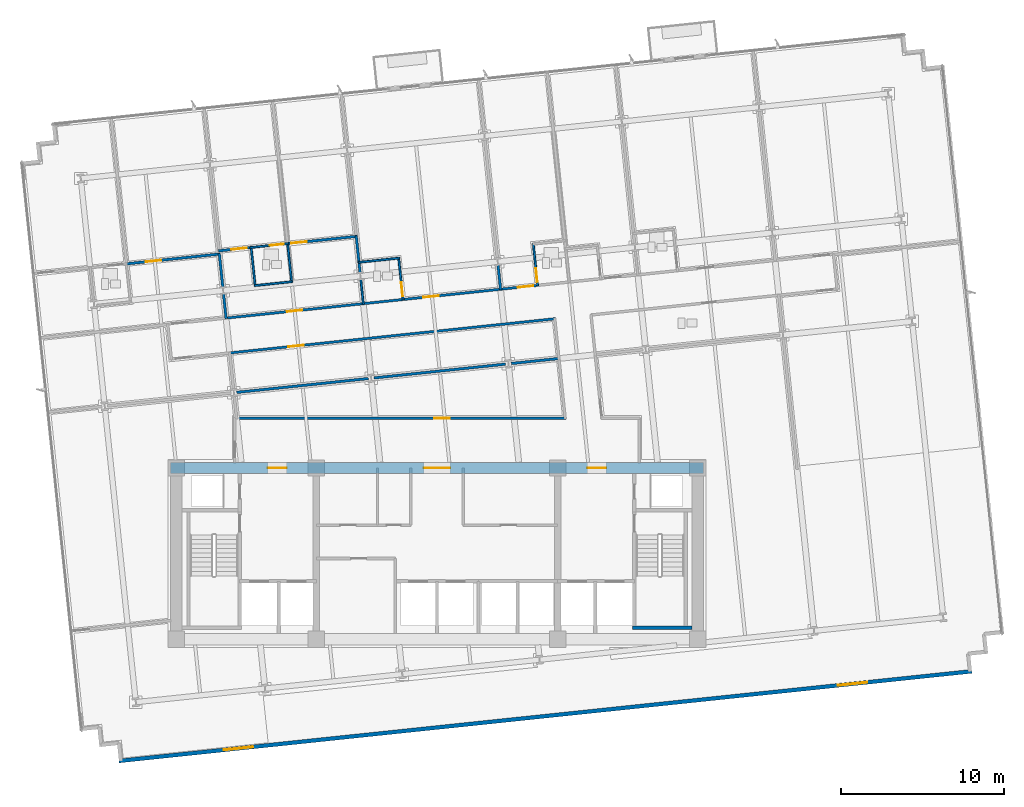
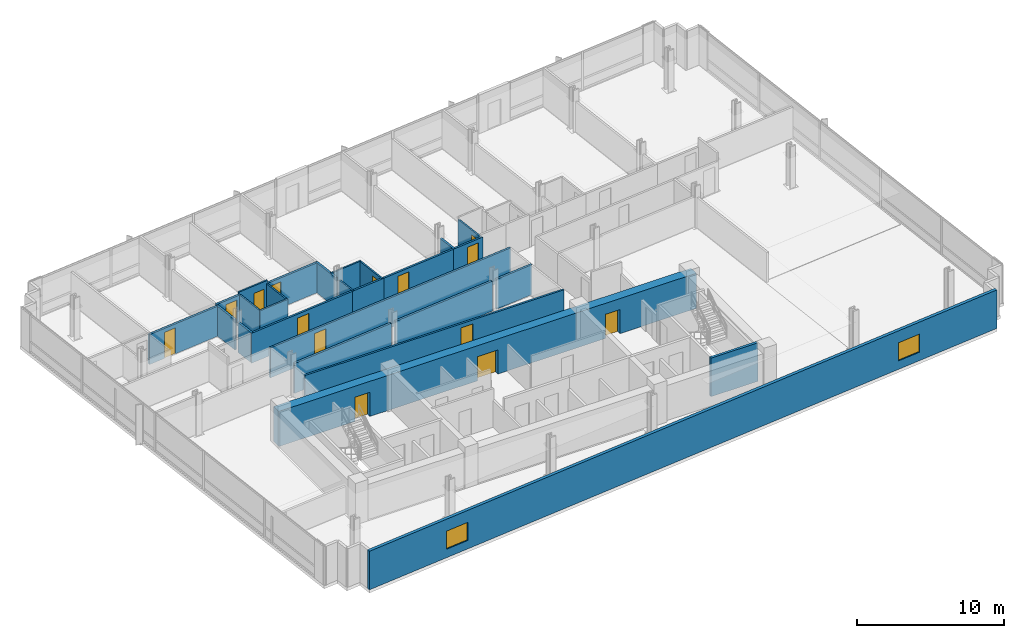
# One storey, part 11 of 17: 27 walls, 14 doors, 2 windows, 16 openings.
"""IFC4 building model written with IfcOpenShell, lengths in metres."""

from ifc_helpers import new_model, si_unit, direction, frame, frame_2d, origin, place, context, subcontext, project, spatial, rectangle, extrude, material, layer, layer_set, type_object, element, fill, save


model = new_model("IFC4")

# Units and contexts
model_context = context("Model", 3, precision=1e-05, world=origin(), true_north=direction((0.0, 1.0)))
body_context = subcontext(model_context, "Body", "Model", "MODEL_VIEW")
ifc_project = project(units=[si_unit("LENGTHUNIT", "METRE"), si_unit("AREAUNIT", "SQUARE_METRE"), si_unit("VOLUMEUNIT", "CUBIC_METRE"), si_unit("PLANEANGLEUNIT", "RADIAN"), si_unit("MASSUNIT", "GRAM", prefix="KILO")], contexts=[model_context])

# Site, building, storey
site_placement = place(None, origin())
site = spatial("IfcSite", under=ifc_project, at=site_placement, CompositionType="ELEMENT")
building_placement = place(site_placement, origin())
building = spatial("IfcBuilding", under=site, at=building_placement, Name="Solmavex Isthmus Hotel", CompositionType="ELEMENT")
storey_placement = place(building_placement, frame((0.0, 0.0, 116.699951171875)))
storey = spatial("IfcBuildingStorey", under=building, at=storey_placement, Name="L31", CompositionType="ELEMENT", Elevation=116.699951171875)

# Wall, openings, windows
ifc_material_1 = material(Name="Precast Concrete C40/50", Category="concrete")
ifc_layer_1 = layer(ifc_material_1, 0.25)
ifc_layer_set_1 = layer_set([ifc_layer_1], Name="Precast Concrete C40/50")
wall_type_1 = type_object("IfcWallType", Name="EW-TWR-250", PredefinedType="STANDARD", material=ifc_layer_set_1)
wall_1_placement = place(storey_placement, frame((-19.504150390625, -20.4716796875, 0.0), z_axis=(0.0, 0.0, 1.0), x_axis=(0.994521743132, 0.104529911687, 0.0)))
wall_1 = element("IfcWall", 1, at=wall_1_placement, inside=storey, type_object=wall_type_1, Name="Tower Rear South Facade Wall L31", PredefinedType="STANDARD", context=body_context, shape_type="SweptSolid", body=[
    extrude(rectangle(XDim=52.60009765625, YDim=0.239990234375, at=frame_2d((26.300048828125, 0.0))), origin(), (0.0, 0.0, 1.0), 3.18994140625),
])
opening_1_placement = place(wall_1_placement, frame((6.464111328125, 0.0, 0.699951171875)))
opening_1 = element("IfcOpeningElement", 2, at=opening_1_placement, cuts=wall_1, Name="Opening WN-02", PredefinedType="OPENING", context=body_context, shape_type="SweptSolid", body=[
    extrude(rectangle(XDim=1.800048828125, YDim=1.5, at=frame_2d((0.89990234375, 0.75))), frame((0.0, 0.1298828125, 0.0), z_axis=(0.0, -1.0, 0.0), x_axis=(1.0, 0.0, 0.0)), (0.0, 0.0, 1.0), 0.260009765625),
])
opening_2_placement = place(wall_1_placement, frame((44.3359375, 0.0, 0.699951171875)))
opening_2 = element("IfcOpeningElement", 3, at=opening_2_placement, cuts=wall_1, Name="Opening WN-02", PredefinedType="OPENING", context=body_context, shape_type="SweptSolid", body=[
    extrude(rectangle(XDim=1.800048828125, YDim=1.5, at=frame_2d((0.89990234375, 0.75))), frame((0.0, 0.1298828125, 0.0), z_axis=(0.0, -1.0, 0.0), x_axis=(1.0, 0.0, 0.0)), (0.0, 0.0, 1.0), 0.260009765625),
])
ifc_material_2 = material(Name="Clear low-E laminated glass", Category="glass")
window_type = type_object("IfcWindowType", Name="WIN-TWR-1800", PartitioningType="SINGLE_PANEL", PredefinedType="WINDOW", material=ifc_material_2)
window_1_placement = place(opening_1_placement, origin())
window_1 = element("IfcWindow", 4, at=window_1_placement, inside=storey, type_object=window_type, Name="South Facade Vision Window L31-S1", OverallHeight=1.5, OverallWidth=1.800048828125, PartitioningType="SINGLE_PANEL", PredefinedType="WINDOW", context=body_context, shape_type="SweptSolid", body=[
    extrude(rectangle(XDim=1.800048828125, YDim=1.5, at=frame_2d((0.89990234375, 0.75))), frame((0.0, 0.030029296875, 0.0), z_axis=(0.0, -1.0, 0.0), x_axis=(1.0, 0.0, 0.0)), (0.0, 0.0, 1.0), 0.06005859375),
])
fill(opening_1, window_1)
window_2_placement = place(opening_2_placement, origin())
window_2 = element("IfcWindow", 5, at=window_2_placement, inside=storey, type_object=window_type, Name="South Facade Vision Window L31-S2", OverallHeight=1.5, OverallWidth=1.800048828125, PartitioningType="SINGLE_PANEL", PredefinedType="WINDOW", context=body_context, shape_type="SweptSolid", body=[
    extrude(rectangle(XDim=1.800048828125, YDim=1.5, at=frame_2d((0.89990234375, 0.75))), frame((0.0, 0.030029296875, 0.0), z_axis=(0.0, -1.0, 0.0), x_axis=(1.0, 0.0, 0.0)), (0.0, 0.0, 1.0), 0.06005859375),
])
fill(opening_2, window_2)

# Wall, opening, door
ifc_material_3 = material(Name="Gypsum plasterboard lining", Category="gypsum")
ifc_layer_2 = layer(ifc_material_3, 0.159912109375)
ifc_layer_set_2 = layer_set([ifc_layer_2], Name="Gypsum plasterboard lining")
wall_type_2 = type_object("IfcWallType", Name="IW-COMP-160", PredefinedType="PARTITIONING", material=ifc_layer_set_2)
wall_2_placement = place(storey_placement, frame((-19.0947265625, 10.016357421875, 0.0), z_axis=(0.0, 0.0, 1.0), x_axis=(0.994523155578, 0.104516472481, 0.0)))
wall_2 = element("IfcWall", 6, at=wall_2_placement, inside=storey, type_object=wall_type_2, Name="Interior Partition Wall W-L31-P027", PredefinedType="PARTITIONING", context=body_context, shape_type="SweptSolid", body=[
    extrude(rectangle(XDim=5.81396484375, YDim=0.159912109375, at=frame_2d((2.906982421875, 0.0))), origin(), (0.0, 0.0, 1.0), 2.4794921875),
])
opening_3_placement = place(wall_2_placement, frame((1.227783203125, 0.0, 0.0)))
opening_3 = element("IfcOpeningElement", 7, at=opening_3_placement, cuts=wall_2, Name="Opening ID-C095", PredefinedType="OPENING", context=body_context, shape_type="SweptSolid", body=[
    extrude(rectangle(XDim=0.949951171875, YDim=2.14990234375, at=frame_2d((0.47509765625, 1.074951171875))), frame((0.0, 0.08984375, 0.0), z_axis=(0.0, -1.0, 0.0), x_axis=(1.0, 0.0, 0.0)), (0.0, 0.0, 1.0), 0.179931640625),
])
ifc_material_4 = material(Name="Hardwood timber", Category="wood")
door_type_1 = type_object("IfcDoorType", Name="IDR-FD60-0950", OperationType="NOTDEFINED", PredefinedType="DOOR", material=ifc_material_4)
door_1_placement = place(opening_3_placement, origin())
door_1 = element("IfcDoor", 8, at=door_1_placement, inside=storey, type_object=door_type_1, Name="Ambassador Panorama Suite Panorama Sitting Study Door L31-03", OperationType="SINGLE_SWING_LEFT", OverallHeight=2.14990234375, OverallWidth=0.949951171875, PredefinedType="DOOR", context=body_context, shape_type="SweptSolid", body=[
    extrude(rectangle(XDim=0.949951171875, YDim=2.14990234375, at=frame_2d((0.47509765625, 1.074951171875))), frame((0.0, 0.02490234375, 0.0), z_axis=(0.0, -1.0, 0.0), x_axis=(1.0, 0.0, 0.0)), (0.0, 0.0, 1.0), 0.050048828125),
])
fill(opening_3, door_1)

# Walls
wall_3_placement = place(storey_placement, frame((-13.3564453125, 10.65966796875, 0.0), z_axis=(0.0, 0.0, 1.0), x_axis=(0.104522458077, -0.994522526521, 0.0)))
element("IfcWall", 9, at=wall_3_placement, inside=storey, type_object=wall_type_2, Name="Interior Partition Wall W-L31-P031", PredefinedType="PARTITIONING", context=body_context, shape_type="SweptSolid", body=[
    extrude(rectangle(XDim=2.11376953125, YDim=0.159912109375, at=frame_2d((1.056884765625, 0.0))), origin(), (0.0, 0.0, 1.0), 2.4794921875),
])
wall_4_placement = place(storey_placement, frame((-13.0986328125, 8.206787109375, 0.0), z_axis=(0.0, 0.0, 1.0), x_axis=(0.104578999325, -0.994516582516, 0.0)))
element("IfcWall", 10, at=wall_4_placement, inside=storey, type_object=wall_type_2, Name="Interior Partition Wall W-L31-P032", PredefinedType="PARTITIONING", context=body_context, shape_type="SweptSolid", body=[
    extrude(rectangle(XDim=1.561767578125, YDim=0.159912109375, at=frame_2d((0.78076171875, 0.0))), origin(), (0.0, 0.0, 1.0), 2.4794921875),
])

# Wall, opening, door
wall_5_placement = place(storey_placement, frame((-13.412841796875, 10.814453125, 0.0), z_axis=(0.0, 0.0, 1.0), x_axis=(0.994511936055, 0.104623176422, 0.0)))
wall_5 = element("IfcWall", 11, at=wall_5_placement, inside=storey, type_object=wall_type_2, Name="Interior Partition Wall W-L31-P038", PredefinedType="PARTITIONING", context=body_context, shape_type="SweptSolid", body=[
    extrude(rectangle(XDim=2.062744140625, YDim=0.159912109375, at=frame_2d((1.03125, 0.0))), origin(), (0.0, 0.0, 1.0), 2.4794921875),
])
opening_4_placement = place(wall_5_placement, frame((0.806396484375, 0.0, 0.0)))
opening_4 = element("IfcOpeningElement", 12, at=opening_4_placement, cuts=wall_5, Name="Opening ID-C095", PredefinedType="OPENING", context=body_context, shape_type="SweptSolid", body=[
    extrude(rectangle(XDim=0.949951171875, YDim=2.14990234375, at=frame_2d((0.47509765625, 1.074951171875))), frame((0.0, 0.08984375, 0.0), z_axis=(0.0, -1.0, 0.0), x_axis=(1.0, 0.0, 0.0)), (0.0, 0.0, 1.0), 0.179931640625),
])
door_2_placement = place(opening_4_placement, origin())
door_2 = element("IfcDoor", 13, at=door_2_placement, inside=storey, type_object=door_type_1, Name="Diplomatic Hospitality Suite Bedroom Door L31-06", OperationType="SINGLE_SWING_RIGHT", OverallHeight=2.14990234375, OverallWidth=0.949951171875, PredefinedType="DOOR", context=body_context, shape_type="SweptSolid", body=[
    extrude(rectangle(XDim=0.949951171875, YDim=2.14990234375, at=frame_2d((0.47509765625, 1.074951171875))), frame((0.0, 0.02490234375, 0.0), z_axis=(0.0, -1.0, 0.0), x_axis=(1.0, 0.0, 0.0)), (0.0, 0.0, 1.0), 0.050048828125),
])
fill(opening_4, door_2)

wall_6_placement = place(storey_placement, frame((-9.203125, 11.257080078125, 0.0), z_axis=(0.0, 0.0, 1.0), x_axis=(0.994525286201, 0.104496196615, 0.0)))
wall_6 = element("IfcWall", 14, at=wall_6_placement, inside=storey, type_object=wall_type_2, Name="Interior Partition Wall W-L31-P039", PredefinedType="PARTITIONING", context=body_context, shape_type="SweptSolid", body=[
    extrude(rectangle(XDim=4.31298828125, YDim=0.159912109375, at=frame_2d((2.156494140625, 0.0))), origin(), (0.0, 0.0, 1.0), 2.4794921875),
])
opening_5_placement = place(wall_6_placement, frame((0.25927734375, 0.0, 0.0)))
opening_5 = element("IfcOpeningElement", 15, at=opening_5_placement, cuts=wall_6, Name="Opening ID-C095", PredefinedType="OPENING", context=body_context, shape_type="SweptSolid", body=[
    extrude(rectangle(XDim=0.949951171875, YDim=2.14990234375, at=frame_2d((0.47509765625, 1.074951171875))), frame((0.0, 0.08984375, 0.0), z_axis=(0.0, -1.0, 0.0), x_axis=(1.0, 0.0, 0.0)), (0.0, 0.0, 1.0), 0.179931640625),
])
door_3_placement = place(opening_5_placement, origin())
door_3 = element("IfcDoor", 16, at=door_3_placement, inside=storey, type_object=door_type_1, Name="Diplomatic Hospitality Suite Sitting Lounge Door L31-07", OperationType="SINGLE_SWING_LEFT", OverallHeight=2.14990234375, OverallWidth=0.949951171875, PredefinedType="DOOR", context=body_context, shape_type="SweptSolid", body=[
    extrude(rectangle(XDim=0.949951171875, YDim=2.14990234375, at=frame_2d((0.47509765625, 1.074951171875))), frame((0.0, 0.02490234375, 0.0), z_axis=(0.0, -1.0, 0.0), x_axis=(1.0, 0.0, 0.0)), (0.0, 0.0, 1.0), 0.050048828125),
])
fill(opening_5, door_3)

# Walls
wall_7_placement = place(storey_placement, frame((-4.957763671875, 11.743408203125, 0.0), z_axis=(0.0, 0.0, 1.0), x_axis=(0.104569435529, -0.994517588157, 0.0)))
element("IfcWall", 17, at=wall_7_placement, inside=storey, type_object=wall_type_2, Name="Interior Partition Wall W-L31-P043", PredefinedType="PARTITIONING", context=body_context, shape_type="SweptSolid", body=[
    extrude(rectangle(XDim=2.313720703125, YDim=0.159912109375, at=frame_2d((1.15673828125, 0.0))), origin(), (0.0, 0.0, 1.0), 2.4794921875),
])
wall_8_placement = place(storey_placement, frame((3.740478515625, 9.976806640625, 0.0), z_axis=(0.0, 0.0, 1.0), x_axis=(0.104578999325, -0.994516582516, 0.0)))
element("IfcWall", 18, at=wall_8_placement, inside=storey, type_object=wall_type_2, Name="Interior Partition Wall W-L31-P053", PredefinedType="PARTITIONING", context=body_context, shape_type="SweptSolid", body=[
    extrude(rectangle(XDim=1.561767578125, YDim=0.159912109375, at=frame_2d((0.78076171875, 0.0))), origin(), (0.0, 0.0, 1.0), 2.4794921875),
])
wall_9_placement = place(storey_placement, frame((-4.21435546875, 2.985107421875, 0.0), z_axis=(0.0, 0.0, 1.0), x_axis=(-0.994521269983, -0.104534413238, 0.0)))
element("IfcWall", 19, at=wall_9_placement, inside=storey, type_object=wall_type_2, Name="Interior Partition Wall W-L31-P075", PredefinedType="PARTITIONING", context=body_context, shape_type="SweptSolid", body=[
    extrude(rectangle(XDim=8.113525390625, YDim=0.159912109375, at=frame_2d((4.056640625, 0.0))), origin(), (0.0, 0.0, 1.0), 2.4794921875),
])
wall_10_placement = place(storey_placement, frame((4.205322265625, 3.8701171875, 0.0), z_axis=(0.0, 0.0, 1.0), x_axis=(-0.994521598781, -0.104531285071, 0.0)))
element("IfcWall", 20, at=wall_10_placement, inside=storey, type_object=wall_type_2, Name="Interior Partition Wall W-L31-P076", PredefinedType="PARTITIONING", context=body_context, shape_type="SweptSolid", body=[
    extrude(rectangle(XDim=8.11376953125, YDim=0.159912109375, at=frame_2d((4.056884765625, 0.0))), origin(), (0.0, 0.0, 1.0), 2.4794921875),
])
wall_11_placement = place(storey_placement, frame((7.51611328125, 4.218017578125, 0.0), z_axis=(0.0, 0.0, 1.0), x_axis=(-0.994526106058, -0.104488393462, 0.0)))
element("IfcWall", 21, at=wall_11_placement, inside=storey, type_object=wall_type_2, Name="Interior Partition Wall W-L31-P077", PredefinedType="PARTITIONING", context=body_context, shape_type="SweptSolid", body=[
    extrude(rectangle(XDim=2.976806640625, YDim=0.159912109375, at=frame_2d((1.48828125, 0.0))), origin(), (0.0, 0.0, 1.0), 2.4794921875),
])

# Wall, opening, door
ifc_layer_3 = layer(ifc_material_3, 0.14990234375)
ifc_layer_set_3 = layer_set([ifc_layer_3], Name="Gypsum plasterboard lining")
wall_type_3 = type_object("IfcWallType", Name="IW-CORR-150", PredefinedType="PARTITIONING", material=ifc_layer_set_3)
wall_12_placement = place(storey_placement, frame((-13.021240234375, 6.684814453125, 0.0), z_axis=(0.0, 0.0, 1.0), x_axis=(0.994521717123, 0.104530159146, 0.0)))
wall_12 = element("IfcWall", 22, at=wall_12_placement, inside=storey, type_object=wall_type_3, Name="Interior Partition Wall W-L31-P002", PredefinedType="PARTITIONING", context=body_context, shape_type="SweptSolid", body=[
    extrude(rectangle(XDim=8.630126953125, YDim=0.14990234375, at=frame_2d((4.31494140625, 0.0))), origin(), (0.0, 0.0, 1.0), 2.4794921875),
])
opening_6_placement = place(wall_12_placement, frame((3.840087890625, 0.0, 0.0)))
opening_6 = element("IfcOpeningElement", 23, at=opening_6_placement, cuts=wall_12, Name="Opening ID-C095", PredefinedType="OPENING", context=body_context, shape_type="SweptSolid", body=[
    extrude(rectangle(XDim=0.949951171875, YDim=2.14990234375, at=frame_2d((0.47509765625, 1.074951171875))), frame((0.0, 0.0849609375, 0.0), z_axis=(0.0, -1.0, 0.0), x_axis=(1.0, 0.0, 0.0)), (0.0, 0.0, 1.0), 0.169921875),
])
door_4_placement = place(opening_6_placement, frame((0.949951171875, 0.0, 0.0), z_axis=(0.0, 0.0, 1.0), x_axis=(-1.0, 0.0, 0.0)))
door_4 = element("IfcDoor", 24, at=door_4_placement, inside=storey, type_object=door_type_1, Name="Diplomatic Hospitality Suite Reception Foyer Door L31-05", OperationType="SINGLE_SWING_LEFT", OverallHeight=2.14990234375, OverallWidth=0.949951171875, PredefinedType="DOOR", context=body_context, shape_type="SweptSolid", body=[
    extrude(rectangle(XDim=0.949951171875, YDim=2.14990234375, at=frame_2d((0.47509765625, 1.074951171875))), frame((0.0, 0.02490234375, 0.0), z_axis=(0.0, -1.0, 0.0), x_axis=(1.0, 0.0, 0.0)), (0.0, 0.0, 1.0), 0.050048828125),
])
fill(opening_6, door_4)

wall_13_placement = place(storey_placement, frame((-2.1650390625, 7.825927734375, 0.0), z_axis=(0.0, 0.0, 1.0), x_axis=(0.994521891766, 0.104528497542, 0.0)))
wall_13 = element("IfcWall", 25, at=wall_13_placement, inside=storey, type_object=wall_type_3, Name="Interior Partition Wall W-L31-P003", PredefinedType="PARTITIONING", context=body_context, shape_type="SweptSolid", body=[
    extrude(rectangle(XDim=6.18017578125, YDim=0.14990234375, at=frame_2d((3.090087890625, 0.0))), origin(), (0.0, 0.0, 1.0), 2.4794921875),
])
opening_7_placement = place(wall_13_placement, frame((1.333984375, 0.0, 0.0)))
opening_7 = element("IfcOpeningElement", 26, at=opening_7_placement, cuts=wall_13, Name="Opening ID-C095", PredefinedType="OPENING", context=body_context, shape_type="SweptSolid", body=[
    extrude(rectangle(XDim=0.949951171875, YDim=2.14990234375, at=frame_2d((0.47509765625, 1.074951171875))), frame((0.0, 0.0849609375, 0.0), z_axis=(0.0, -1.0, 0.0), x_axis=(1.0, 0.0, 0.0)), (0.0, 0.0, 1.0), 0.169921875),
])
door_5_placement = place(opening_7_placement, frame((0.949951171875, 0.0, 0.0), z_axis=(0.0, 0.0, 1.0), x_axis=(-1.0, 0.0, 0.0)))
door_5 = element("IfcDoor", 27, at=door_5_placement, inside=storey, type_object=door_type_1, Name="Ambassador Suite Door L31-09", OperationType="SINGLE_SWING_LEFT", OverallHeight=2.14990234375, OverallWidth=0.949951171875, PredefinedType="DOOR", context=body_context, shape_type="SweptSolid", body=[
    extrude(rectangle(XDim=0.949951171875, YDim=2.14990234375, at=frame_2d((0.47509765625, 1.074951171875))), frame((0.0, 0.02490234375, 0.0), z_axis=(0.0, -1.0, 0.0), x_axis=(1.0, 0.0, 0.0)), (0.0, 0.0, 1.0), 0.050048828125),
])
fill(opening_7, door_5)

# Wall
wall_14_placement = place(storey_placement, frame((-4.6015625, 7.56982421875, 0.0), z_axis=(0.0, 0.0, 1.0), x_axis=(0.994524370789, 0.104504908528, 0.0)))
element("IfcWall", 28, at=wall_14_placement, inside=storey, type_object=wall_type_3, Name="Interior Partition Wall W-L31-P004", PredefinedType="PARTITIONING", context=body_context, shape_type="SweptSolid", body=[
    extrude(rectangle(XDim=2.6142578125, YDim=0.14990234375, at=frame_2d((1.30712890625, 0.0))), origin(), (0.0, 0.0, 1.0), 2.4794921875),
])

# Wall, opening, door
wall_15_placement = place(storey_placement, frame((3.818115234375, 8.454833984375, 0.0), z_axis=(0.0, 0.0, 1.0), x_axis=(0.994530544661, 0.10444613797, 0.0)))
wall_15 = element("IfcWall", 29, at=wall_15_placement, inside=storey, type_object=wall_type_3, Name="Interior Partition Wall W-L31-P005", PredefinedType="PARTITIONING", context=body_context, shape_type="SweptSolid", body=[
    extrude(rectangle(XDim=2.44970703125, YDim=0.14990234375, at=frame_2d((1.224853515625, 0.0))), origin(), (0.0, 0.0, 1.0), 2.4794921875),
])
opening_8_placement = place(wall_15_placement, frame((1.14794921875, 0.0, 0.0)))
opening_8 = element("IfcOpeningElement", 30, at=opening_8_placement, cuts=wall_15, Name="Opening ID-C095", PredefinedType="OPENING", context=body_context, shape_type="SweptSolid", body=[
    extrude(rectangle(XDim=0.949951171875, YDim=2.14990234375, at=frame_2d((0.47509765625, 1.074951171875))), frame((0.0, 0.0849609375, 0.0), z_axis=(0.0, -1.0, 0.0), x_axis=(1.0, 0.0, 0.0)), (0.0, 0.0, 1.0), 0.169921875),
])
door_6_placement = place(opening_8_placement, frame((0.949951171875, 0.0, 0.0), z_axis=(0.0, 0.0, 1.0), x_axis=(-1.0, 0.0, 0.0)))
door_6 = element("IfcDoor", 31, at=door_6_placement, inside=storey, type_object=door_type_1, Name="Premier Suite Door L31-11", OperationType="SINGLE_SWING_LEFT", OverallHeight=2.14990234375, OverallWidth=0.949951171875, PredefinedType="DOOR", context=body_context, shape_type="SweptSolid", body=[
    extrude(rectangle(XDim=0.949951171875, YDim=2.14990234375, at=frame_2d((0.47509765625, 1.074951171875))), frame((0.0, 0.02490234375, 0.0), z_axis=(0.0, -1.0, 0.0), x_axis=(1.0, 0.0, 0.0)), (0.0, 0.0, 1.0), 0.050048828125),
])
fill(opening_8, door_6)

wall_16_placement = place(storey_placement, frame((7.260009765625, 6.654541015625, 0.0), z_axis=(0.0, 0.0, 1.0), x_axis=(-0.994522421445, -0.104523457861, 0.0)))
wall_16 = element("IfcWall", 32, at=wall_16_placement, inside=storey, type_object=wall_type_3, Name="Interior Partition Wall W-L31-P017", PredefinedType="PARTITIONING", context=body_context, shape_type="SweptSolid", body=[
    extrude(rectangle(XDim=20.166748046875, YDim=0.14990234375, at=frame_2d((10.08349609375, 0.0))), origin(), (0.0, 0.0, 1.0), 2.4794921875),
])
opening_9_placement = place(wall_16_placement, frame((15.51416015625, 0.0, 0.0)))
opening_9 = element("IfcOpeningElement", 33, at=opening_9_placement, cuts=wall_16, Name="Opening ID-C095", PredefinedType="OPENING", context=body_context, shape_type="SweptSolid", body=[
    extrude(rectangle(XDim=0.949951171875, YDim=2.14990234375, at=frame_2d((0.47509765625, 1.074951171875))), frame((0.0, 0.0849609375, 0.0), z_axis=(0.0, -1.0, 0.0), x_axis=(1.0, 0.0, 0.0)), (0.0, 0.0, 1.0), 0.169921875),
])
door_7_placement = place(opening_9_placement, frame((0.949951171875, 0.0, 0.0), z_axis=(0.0, 0.0, 1.0), x_axis=(-1.0, 0.0, 0.0)))
door_7 = element("IfcDoor", 34, at=door_7_placement, inside=storey, type_object=door_type_1, Name="Seminar Meeting Room Door L31-20", OperationType="SINGLE_SWING_RIGHT", OverallHeight=2.14990234375, OverallWidth=0.949951171875, PredefinedType="DOOR", context=body_context, shape_type="SweptSolid", body=[
    extrude(rectangle(XDim=0.949951171875, YDim=2.14990234375, at=frame_2d((0.47509765625, 1.074951171875))), frame((0.0, 0.02490234375, 0.0), z_axis=(0.0, -1.0, 0.0), x_axis=(1.0, 0.0, 0.0)), (0.0, 0.0, 1.0), 0.050048828125),
])
fill(opening_9, door_7)

wall_17_placement = place(storey_placement, frame((-12.376220703125, 0.550048828125, 0.0), z_axis=(0.0, 0.0, 1.0), x_axis=(1.0, 0.0, 0.0)))
wall_17 = element("IfcWall", 35, at=wall_17_placement, inside=storey, type_object=wall_type_3, Name="Interior Partition Wall W-L31-P018", PredefinedType="PARTITIONING", context=body_context, shape_type="SweptSolid", body=[
    extrude(rectangle(XDim=20.27783203125, YDim=0.14990234375, at=frame_2d((10.138916015625, 0.0))), origin(), (0.0, 0.0, 1.0), 2.4794921875),
])
opening_10_placement = place(wall_17_placement, frame((12.208740234375, 0.0, 0.0)))
opening_10 = element("IfcOpeningElement", 36, at=opening_10_placement, cuts=wall_17, Name="Opening ID-C095", PredefinedType="OPENING", context=body_context, shape_type="SweptSolid", body=[
    extrude(rectangle(XDim=0.949951171875, YDim=2.14990234375, at=frame_2d((0.47509765625, 1.074951171875))), frame((0.0, 0.0849609375, 0.0), z_axis=(0.0, -1.0, 0.0), x_axis=(1.0, 0.0, 0.0)), (0.0, 0.0, 1.0), 0.169921875),
])
door_8_placement = place(opening_10_placement, frame((0.949951171875, 0.0, 0.0), z_axis=(0.0, 0.0, 1.0), x_axis=(-1.0, 0.0, 0.0)))
door_8 = element("IfcDoor", 37, at=door_8_placement, inside=storey, type_object=door_type_1, Name="Catering Servery Kitchen Door L31-21", OperationType="SINGLE_SWING_LEFT", OverallHeight=2.14990234375, OverallWidth=0.949951171875, PredefinedType="DOOR", context=body_context, shape_type="SweptSolid", body=[
    extrude(rectangle(XDim=0.949951171875, YDim=2.14990234375, at=frame_2d((0.47509765625, 1.074951171875))), frame((0.0, 0.02490234375, 0.0), z_axis=(0.0, -1.0, 0.0), x_axis=(1.0, 0.0, 0.0)), (0.0, 0.0, 1.0), 0.050048828125),
])
fill(opening_10, door_8)

# Walls
ifc_layer_4 = layer(ifc_material_3, 0.1201171875)
ifc_layer_set_4 = layer_set([ifc_layer_4], Name="Gypsum plasterboard lining")
wall_type_4 = type_object("IfcWallType", Name="IW-PART-120", PredefinedType="PARTITIONING", material=ifc_layer_set_4)
wall_18_placement = place(storey_placement, frame((-11.4052734375, 11.065673828125, 0.0), z_axis=(0.0, 0.0, 1.0), x_axis=(0.104595869421, -0.994514808387, 0.0)))
element("IfcWall", 38, at=wall_18_placement, inside=storey, type_object=wall_type_4, Name="Interior Partition Wall W-L31-P040", PredefinedType="PARTITIONING", context=body_context, shape_type="SweptSolid", body=[
    extrude(rectangle(XDim=2.429931640625, YDim=0.1201171875, at=frame_2d((1.21484375, 0.0))), origin(), (0.0, 0.0, 1.0), 2.4794921875),
])
wall_19_placement = place(storey_placement, frame((-11.195068359375, 8.6845703125, 0.0), z_axis=(0.0, 0.0, 1.0), x_axis=(0.994516930255, 0.104575692382, 0.0)))
element("IfcWall", 39, at=wall_19_placement, inside=storey, type_object=wall_type_4, Name="Interior Partition Wall W-L31-P041", PredefinedType="PARTITIONING", context=body_context, shape_type="SweptSolid", body=[
    extrude(rectangle(XDim=2.329833984375, YDim=0.1201171875, at=frame_2d((1.1650390625, 0.0))), origin(), (0.0, 0.0, 1.0), 2.4794921875),
])
wall_20_placement = place(storey_placement, frame((-8.91357421875, 8.88427734375, 0.0), z_axis=(0.0, 0.0, 1.0), x_axis=(-0.104486049741, 0.994526352295, 0.0)))
element("IfcWall", 40, at=wall_20_placement, inside=storey, type_object=wall_type_4, Name="Interior Partition Wall W-L31-P042", PredefinedType="PARTITIONING", context=body_context, shape_type="SweptSolid", body=[
    extrude(rectangle(XDim=2.429931640625, YDim=0.1201171875, at=frame_2d((1.21484375, 0.0))), origin(), (0.0, 0.0, 1.0), 2.4794921875),
])
wall_21_placement = place(storey_placement, frame((-4.678955078125, 9.091796875, 0.0), z_axis=(0.0, 0.0, 1.0), x_axis=(0.104424383811, -0.994532829054, 0.0)))
element("IfcWall", 41, at=wall_21_placement, inside=storey, type_object=wall_type_4, Name="Interior Partition Wall W-L31-P044", PredefinedType="PARTITIONING", context=body_context, shape_type="SweptSolid", body=[
    extrude(rectangle(XDim=1.561767578125, YDim=0.1201171875, at=frame_2d((0.78076171875, 0.0))), origin(), (0.0, 0.0, 1.0), 2.4794921875),
])

# Wall, opening, door
wall_22_placement = place(storey_placement, frame((-9.12353515625, 11.265380859375, 0.0), z_axis=(0.0, 0.0, 1.0), x_axis=(-0.994517852755, -0.104566919011, 0.0)))
wall_22 = element("IfcWall", 42, at=wall_22_placement, inside=storey, type_object=wall_type_4, Name="Interior Partition Wall W-L31-P046", PredefinedType="PARTITIONING", context=body_context, shape_type="SweptSolid", body=[
    extrude(rectangle(XDim=2.3720703125, YDim=0.1201171875, at=frame_2d((1.18603515625, 0.0))), origin(), (0.0, 0.0, 1.0), 2.71826171875),
])
opening_11_placement = place(wall_22_placement, frame((0.27978515625, 0.0, 0.0)))
opening_11 = element("IfcOpeningElement", 43, at=opening_11_placement, cuts=wall_22, Name="Opening ID-U085", PredefinedType="OPENING", context=body_context, shape_type="SweptSolid", body=[
    extrude(rectangle(XDim=0.85009765625, YDim=2.10009765625, at=frame_2d((0.425048828125, 1.050048828125))), frame((0.0, 0.070068359375, 0.0), z_axis=(0.0, -1.0, 0.0), x_axis=(1.0, 0.0, 0.0)), (0.0, 0.0, 1.0), 0.14013671875),
])
door_type_2 = type_object("IfcDoorType", Name="IDR-UNR-0850", OperationType="NOTDEFINED", PredefinedType="DOOR", material=ifc_material_4)
door_9_placement = place(opening_11_placement, frame((0.85009765625, 0.0, 0.0), z_axis=(0.0, 0.0, 1.0), x_axis=(-1.0, 0.0, 0.0)))
door_9 = element("IfcDoor", 44, at=door_9_placement, inside=storey, type_object=door_type_2, Name="En-suite Bathroom Door L31-08", OperationType="SINGLE_SWING_RIGHT", OverallHeight=2.10009765625, OverallWidth=0.85009765625, PredefinedType="DOOR", context=body_context, shape_type="SweptSolid", body=[
    extrude(rectangle(XDim=0.85009765625, YDim=2.10009765625, at=frame_2d((0.425048828125, 1.050048828125))), frame((0.0, 0.02490234375, 0.0), z_axis=(0.0, -1.0, 0.0), x_axis=(1.0, 0.0, 0.0)), (0.0, 0.0, 1.0), 0.050048828125),
])
fill(opening_11, door_9)

wall_23_placement = place(storey_placement, frame((-2.0791015625, 7.794677734375, 0.0), z_axis=(0.0, 0.0, 1.0), x_axis=(-0.104530146087, 0.994521718495, 0.0)))
wall_23 = element("IfcWall", 45, at=wall_23_placement, inside=storey, type_object=wall_type_4, Name="Interior Partition Wall W-L31-P049", PredefinedType="PARTITIONING", context=body_context, shape_type="SweptSolid", body=[
    extrude(rectangle(XDim=2.6298828125, YDim=0.1201171875, at=frame_2d((1.31494140625, 0.0))), origin(), (0.0, 0.0, 1.0), 2.4794921875),
])
opening_12_placement = place(wall_23_placement, frame((0.247314453125, 0.0, 0.0)))
opening_12 = element("IfcOpeningElement", 46, at=opening_12_placement, cuts=wall_23, Name="Opening ID-U085", PredefinedType="OPENING", context=body_context, shape_type="SweptSolid", body=[
    extrude(rectangle(XDim=0.85009765625, YDim=2.10009765625, at=frame_2d((0.425048828125, 1.050048828125))), frame((0.0, 0.070068359375, 0.0), z_axis=(0.0, -1.0, 0.0), x_axis=(1.0, 0.0, 0.0)), (0.0, 0.0, 1.0), 0.14013671875),
])
door_10_placement = place(opening_12_placement, frame((0.85009765625, 0.0, 0.0), z_axis=(0.0, 0.0, 1.0), x_axis=(-1.0, 0.0, 0.0)))
door_10 = element("IfcDoor", 47, at=door_10_placement, inside=storey, type_object=door_type_2, Name="En-suite Bathroom Door L31-10", OperationType="SINGLE_SWING_RIGHT", OverallHeight=2.10009765625, OverallWidth=0.85009765625, PredefinedType="DOOR", context=body_context, shape_type="SweptSolid", body=[
    extrude(rectangle(XDim=0.85009765625, YDim=2.10009765625, at=frame_2d((0.425048828125, 1.050048828125))), frame((0.0, 0.02490234375, 0.0), z_axis=(0.0, -1.0, 0.0), x_axis=(1.0, 0.0, 0.0)), (0.0, 0.0, 1.0), 0.050048828125),
])
fill(opening_12, door_10)

# Wall
wall_24_placement = place(storey_placement, frame((-2.31005859375, 10.374755859375, 0.0), z_axis=(0.0, 0.0, 1.0), x_axis=(-0.994513909819, -0.104604412793, 0.0)))
element("IfcWall", 48, at=wall_24_placement, inside=storey, type_object=wall_type_4, Name="Interior Partition Wall W-L31-P050", PredefinedType="PARTITIONING", context=body_context, shape_type="SweptSolid", body=[
    extrude(rectangle(XDim=2.530029296875, YDim=0.1201171875, at=frame_2d((1.26513671875, 0.0))), origin(), (0.0, 0.0, 1.0), 2.4794921875),
])

# Wall, opening, door
wall_25_placement = place(storey_placement, frame((5.90234375, 11.278076171875, 0.0), z_axis=(0.0, 0.0, 1.0), x_axis=(0.104520496269, -0.994522732701, 0.0)))
wall_25 = element("IfcWall", 49, at=wall_25_placement, inside=storey, type_object=wall_type_4, Name="Interior Partition Wall W-L31-P055", PredefinedType="PARTITIONING", context=body_context, shape_type="SweptSolid", body=[
    extrude(rectangle(XDim=2.630126953125, YDim=0.1201171875, at=frame_2d((1.31494140625, 0.0))), origin(), (0.0, 0.0, 1.0), 2.4794921875),
])
opening_13_placement = place(wall_25_placement, frame((1.53271484375, 0.0, 0.0)))
opening_13 = element("IfcOpeningElement", 50, at=opening_13_placement, cuts=wall_25, Name="Opening ID-U085", PredefinedType="OPENING", context=body_context, shape_type="SweptSolid", body=[
    extrude(rectangle(XDim=0.85009765625, YDim=2.10009765625, at=frame_2d((0.425048828125, 1.050048828125))), frame((0.0, 0.070068359375, 0.0), z_axis=(0.0, -1.0, 0.0), x_axis=(1.0, 0.0, 0.0)), (0.0, 0.0, 1.0), 0.14013671875),
])
door_11_placement = place(opening_13_placement, origin())
door_11 = element("IfcDoor", 51, at=door_11_placement, inside=storey, type_object=door_type_2, Name="En-suite Bathroom Door L31-12", OperationType="SINGLE_SWING_RIGHT", OverallHeight=2.10009765625, OverallWidth=0.85009765625, PredefinedType="DOOR", context=body_context, shape_type="SweptSolid", body=[
    extrude(rectangle(XDim=0.85009765625, YDim=2.10009765625, at=frame_2d((0.425048828125, 1.050048828125))), frame((0.0, 0.02490234375, 0.0), z_axis=(0.0, -1.0, 0.0), x_axis=(1.0, 0.0, 0.0)), (0.0, 0.0, 1.0), 0.050048828125),
])
fill(opening_13, door_11)

# Wall, openings, doors
ifc_material_5 = material(Name="Concrete C60/75", Category="concrete")
ifc_layer_5 = layer(ifc_material_5, 0.699951171875)
ifc_layer_set_5 = layer_set([ifc_layer_5], Name="Concrete C60/75")
wall_type_5 = type_object("IfcWallType", Name="WALL-CW-700", PredefinedType="SHEAR", material=ifc_layer_set_5)
wall_26_placement = place(storey_placement, frame((-16.35009765625, -2.5, 0.0), z_axis=(0.0, 0.0, 1.0), x_axis=(1.0, 0.0, 0.0)))
wall_26 = element("IfcWall", 52, at=wall_26_placement, inside=storey, type_object=wall_type_5, Name="Core Shear Wall North L31", PredefinedType="SHEAR", context=body_context, shape_type="SweptSolid", body=[
    extrude(rectangle(XDim=32.7001953125, YDim=0.699951171875, at=frame_2d((16.35009765625, 0.0))), origin(), (0.0, 0.0, 1.0), 2.91015625),
])
opening_14_placement = place(wall_26_placement, frame((5.97509765625, 0.0, 0.0)))
opening_14 = element("IfcOpeningElement", 53, at=opening_14_placement, cuts=wall_26, Name="Opening ID-F915", PredefinedType="OPENING", context=body_context, shape_type="SweptSolid", body=[
    extrude(rectangle(XDim=1.14990234375, YDim=2.0, at=frame_2d((0.574951171875, 1.0))), frame((0.0, 0.35986328125, 0.0), z_axis=(0.0, -1.0, 0.0), x_axis=(1.0, 0.0, 0.0)), (0.0, 0.0, 1.0), 0.719970703125),
])
opening_15_placement = place(wall_26_placement, frame((15.550048828125, 0.0, 0.0)))
opening_15 = element("IfcOpeningElement", 54, at=opening_15_placement, cuts=wall_26, Name="Opening ID-F960", PredefinedType="OPENING", context=body_context, shape_type="SweptSolid", body=[
    extrude(rectangle(XDim=1.60009765625, YDim=2.0, at=frame_2d((0.800048828125, 1.0))), frame((0.0, 0.35986328125, 0.0), z_axis=(0.0, -1.0, 0.0), x_axis=(1.0, 0.0, 0.0)), (0.0, 0.0, 1.0), 0.719970703125),
])
opening_16_placement = place(wall_26_placement, frame((25.574951171875, 0.0, 0.0)))
opening_16 = element("IfcOpeningElement", 55, at=opening_16_placement, cuts=wall_26, Name="Opening ID-F915", PredefinedType="OPENING", context=body_context, shape_type="SweptSolid", body=[
    extrude(rectangle(XDim=1.14990234375, YDim=2.0, at=frame_2d((0.574951171875, 1.0))), frame((0.0, 0.35986328125, 0.0), z_axis=(0.0, -1.0, 0.0), x_axis=(1.0, 0.0, 0.0)), (0.0, 0.0, 1.0), 0.719970703125),
])
ifc_material_6 = material(Name="Steel ASTM A500 Grade C", Category="steel")
door_type_3 = type_object("IfcDoorType", Name="IDR-FD90-1150C", OperationType="NOTDEFINED", PredefinedType="DOOR", material=ifc_material_6)
door_12_placement = place(opening_14_placement, origin())
door_12 = element("IfcDoor", 56, at=door_12_placement, inside=storey, type_object=door_type_3, Name="Firefighting Lobby West Exit Door L31", OperationType="SINGLE_SWING_LEFT", OverallHeight=2.0, OverallWidth=1.14990234375, PredefinedType="DOOR", context=body_context, shape_type="SweptSolid", body=[
    extrude(rectangle(XDim=1.14990234375, YDim=2.0, at=frame_2d((0.574951171875, 1.0))), frame((0.0, 0.02490234375, 0.0), z_axis=(0.0, -1.0, 0.0), x_axis=(1.0, 0.0, 0.0)), (0.0, 0.0, 1.0), 0.050048828125),
])
fill(opening_14, door_12)
door_13_placement = place(opening_16_placement, origin())
door_13 = element("IfcDoor", 57, at=door_13_placement, inside=storey, type_object=door_type_3, Name="Firefighting Lobby East Exit Door L31", OperationType="SINGLE_SWING_RIGHT", OverallHeight=2.0, OverallWidth=1.14990234375, PredefinedType="DOOR", context=body_context, shape_type="SweptSolid", body=[
    extrude(rectangle(XDim=1.14990234375, YDim=2.0, at=frame_2d((0.574951171875, 1.0))), frame((0.0, 0.02490234375, 0.0), z_axis=(0.0, -1.0, 0.0), x_axis=(1.0, 0.0, 0.0)), (0.0, 0.0, 1.0), 0.050048828125),
])
fill(opening_16, door_13)
door_type_4 = type_object("IfcDoorType", Name="IDR-FD90-1600C", OperationType="NOTDEFINED", PredefinedType="DOOR", material=ifc_material_6)
door_14_placement = place(opening_15_placement, origin())
door_14 = element("IfcDoor", 58, at=door_14_placement, inside=storey, type_object=door_type_4, Name="Central Lift Lobby Door L31", OperationType="DOUBLE_DOOR_SINGLE_SWING", OverallHeight=2.0, OverallWidth=1.60009765625, PredefinedType="DOOR", context=body_context, shape_type="SweptSolid", body=[
    extrude(rectangle(XDim=1.60009765625, YDim=2.0, at=frame_2d((0.800048828125, 1.0))), frame((0.0, 0.02490234375, 0.0), z_axis=(0.0, -1.0, 0.0), x_axis=(1.0, 0.0, 0.0)), (0.0, 0.0, 1.0), 0.050048828125),
])
fill(opening_15, door_14)

# Wall
ifc_material_7 = material(Name="Concrete C40/50", Category="concrete")
ifc_layer_6 = layer(ifc_material_7, 0.199951171875)
ifc_layer_set_6 = layer_set([ifc_layer_6], Name="Concrete C40/50")
wall_type_6 = type_object("IfcWallType", Name="WALL-SW-200", PredefinedType="SOLIDWALL", material=ifc_layer_set_6)
wall_27_placement = place(storey_placement, frame((12.0, -12.300048828125, 0.0), z_axis=(0.0, 0.0, 1.0), x_axis=(1.0, 0.0, 0.0)))
element("IfcWall", 59, at=wall_27_placement, inside=storey, type_object=wall_type_6, Name="Stairwell Structural Wall SW-L31-ST2-S", PredefinedType="SOLIDWALL", context=body_context, shape_type="SweptSolid", body=[
    extrude(rectangle(XDim=3.64990234375, YDim=0.199951171875, at=frame_2d((1.824951171875, 0.0))), origin(), (0.0, 0.0, 1.0), 3.18994140625),
])

save(model, "model.ifc")
